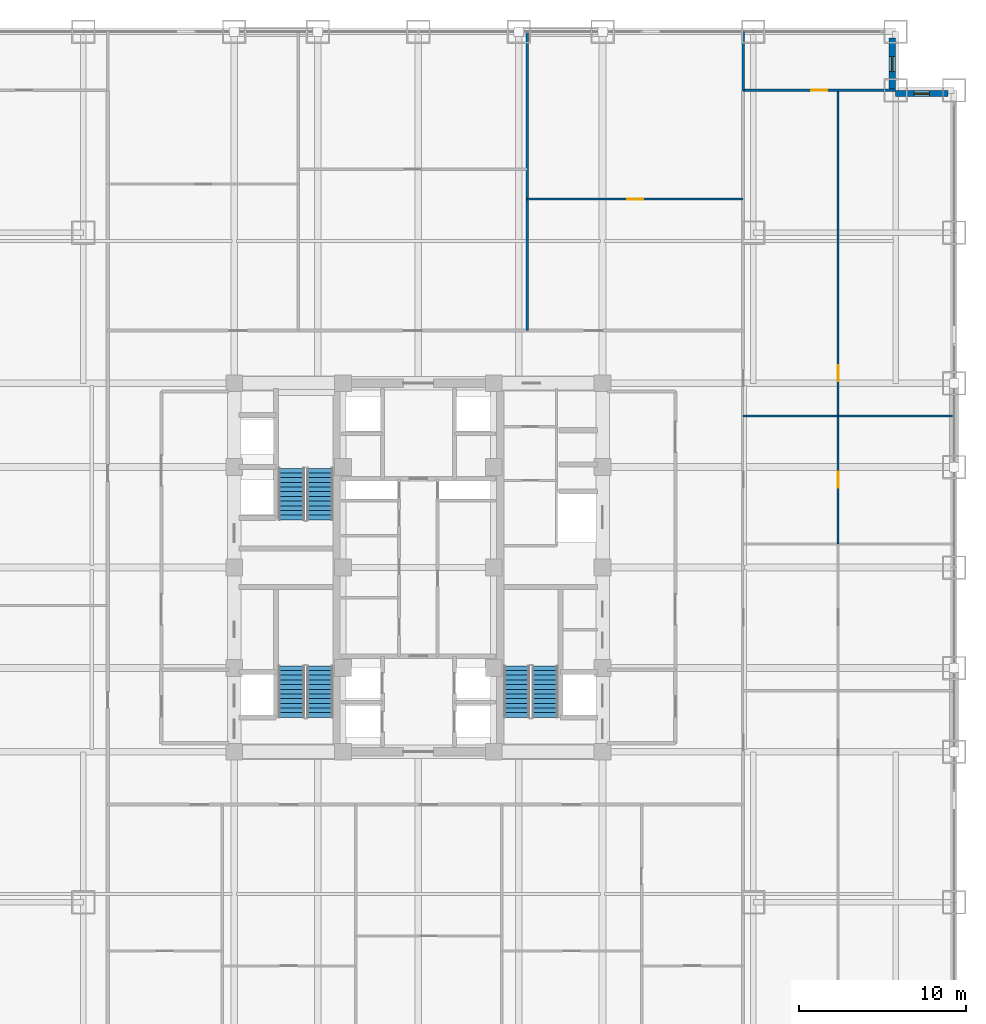
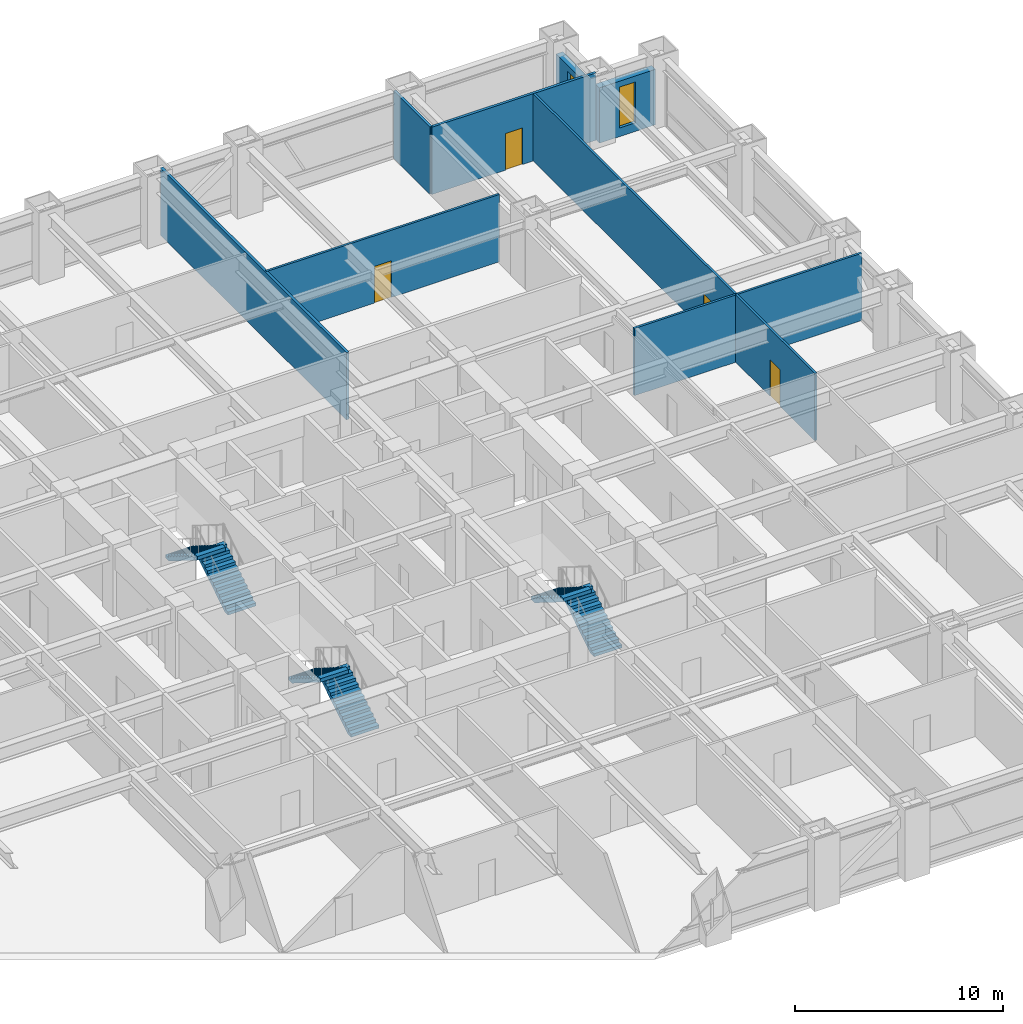
# One storey, part 27 of 28: 9 walls, 6 stair flights, 4 doors, 2 windows, 6 openings, 3 elements without a shape of their own.
"""IFC4 building model written with IfcOpenShell, lengths in metres."""

from ifc_helpers import new_model, si_unit, direction, frame, frame_2d, origin, place, context, subcontext, project, spatial, polyline, rectangle, outline, extrude, source, transform, mapped, material, layer, layer_set, type_object, element, fill, aggregate, save


model = new_model("IFC4")

# Units and contexts
model_context = context("Model", 3, precision=1e-05, world=origin(), true_north=direction((0.0, 1.0)))
body_context = subcontext(model_context, "Body", "Model", "MODEL_VIEW")
ifc_project = project(units=[si_unit("LENGTHUNIT", "METRE"), si_unit("AREAUNIT", "SQUARE_METRE"), si_unit("VOLUMEUNIT", "CUBIC_METRE"), si_unit("PLANEANGLEUNIT", "RADIAN"), si_unit("MASSUNIT", "GRAM", prefix="KILO")], contexts=[model_context])

# Site, building, storey
site_placement = place(None, origin())
site = spatial("IfcSite", under=ifc_project, at=site_placement, CompositionType="ELEMENT")
building_placement = place(site_placement, origin())
building = spatial("IfcBuilding", under=site, at=building_placement, Name="Khorayat Bourse Tower", CompositionType="ELEMENT")
storey_placement = place(building_placement, frame((0.0, 0.0, 83.0)))
storey = spatial("IfcBuildingStorey", under=building, at=storey_placement, Name="L18", CompositionType="ELEMENT", Elevation=83.0)

# Wall, opening, window
ifc_material_1 = material(Name="Precast concrete C45/55", Category="concrete")
ifc_layer_1 = layer(ifc_material_1, 0.3798828125)
ifc_layer_set_1 = layer_set([ifc_layer_1], Name="Precast concrete C45/55")
wall_type_1 = type_object("IfcWallType", Name="WAL-EXT-STONE-380", PredefinedType="STANDARD", material=ifc_layer_set_1)
shared_shape_1 = source(origin(), body_context, "Body", "SweptSolid", [
    extrude(rectangle(XDim=3.1201171875, YDim=0.3798828125, at=frame_2d((1.56005859375, 0.0))), origin(), (0.0, 0.0, 1.0), 3.2451171875),
])
wall_1_placement = place(storey_placement, frame((28.5, 28.31005859375, 0.0), z_axis=(0.0, 0.0, 1.0), x_axis=(1.0, 0.0, 0.0)))
wall_1 = element("IfcWall", 1, at=wall_1_placement, inside=storey, type_object=wall_type_1, Name="L18 Re-Entrant Notch Limestone Wall NE-H", PredefinedType="STANDARD", context=body_context, shape_type="MappedRepresentation", body=[
    mapped(shared_shape_1, transform((0.0, 0.0, 0.0), scale=1.0)),
])
shared_shape_2 = source(origin(), body_context, "Body", "SweptSolid", [
    extrude(rectangle(XDim=0.89990234375, YDim=2.39990234375, at=frame_2d((0.449951171875, 1.199951171875))), frame((0.0, 0.199951171875, 0.0), z_axis=(0.0, -1.0, 0.0), x_axis=(1.0, 0.0, 0.0)), (0.0, 0.0, 1.0), 0.39990234375),
])
opening_1_placement = place(wall_1_placement, frame((1.110107421875, 0.0, 0.5)))
opening_1 = element("IfcOpeningElement", 2, at=opening_1_placement, cuts=wall_1, Name="Opening WN-03", PredefinedType="OPENING", context=body_context, shape_type="MappedRepresentation", body=[
    mapped(shared_shape_2, transform((0.0, 0.0, 0.0), scale=1.0)),
])
ifc_material_2 = material(Name="Deep-reveal solar-control double glazing", Category="glass")
window_type = type_object("IfcWindowType", Name="WIN-SLOT-900x2400", PartitioningType="SINGLE_PANEL", PredefinedType="WINDOW", material=ifc_material_2)
shared_shape_3 = source(origin(), body_context, "Body", "SweptSolid", [
    extrude(rectangle(XDim=0.89990234375, YDim=2.39990234375, at=frame_2d((0.449951171875, 1.199951171875))), frame((0.0, 0.030029296875, 0.0), z_axis=(0.0, -1.0, 0.0), x_axis=(1.0, 0.0, 0.0)), (0.0, 0.0, 1.0), 0.06005859375),
])
window_1_placement = place(opening_1_placement, origin())
window_1 = element("IfcWindow", 3, at=window_1_placement, inside=storey, type_object=window_type, Name="L18 Facade Window 1", OverallHeight=2.39990234375, OverallWidth=0.89990234375, PartitioningType="SINGLE_PANEL", PredefinedType="WINDOW", context=body_context, shape_type="MappedRepresentation", body=[
    mapped(shared_shape_3, transform((0.0, 0.0, 0.0), scale=1.0)),
])
fill(opening_1, window_1)

wall_2_placement = place(storey_placement, frame((28.31005859375, 28.5, 0.0), z_axis=(0.0, 0.0, 1.0), x_axis=(0.0, 1.0, 0.0)))
wall_2 = element("IfcWall", 4, at=wall_2_placement, inside=storey, type_object=wall_type_1, Name="L18 Re-Entrant Notch Limestone Wall NE-V", PredefinedType="STANDARD", context=body_context, shape_type="MappedRepresentation", body=[
    mapped(shared_shape_1, transform((0.0, 0.0, 0.0), scale=1.0)),
])
opening_2_placement = place(wall_2_placement, frame((1.110107421875, 0.0, 0.5)))
opening_2 = element("IfcOpeningElement", 5, at=opening_2_placement, cuts=wall_2, Name="Opening WN-03", PredefinedType="OPENING", context=body_context, shape_type="MappedRepresentation", body=[
    mapped(shared_shape_2, transform((0.0, 0.0, 0.0), scale=1.0)),
])
window_2_placement = place(opening_2_placement, origin())
window_2 = element("IfcWindow", 6, at=window_2_placement, inside=storey, type_object=window_type, Name="L18 Facade Window 1", OverallHeight=2.39990234375, OverallWidth=0.89990234375, PartitioningType="SINGLE_PANEL", PredefinedType="WINDOW", context=body_context, shape_type="MappedRepresentation", body=[
    mapped(shared_shape_3, transform((0.0, 0.0, 0.0), scale=1.0)),
])
fill(opening_2, window_2)

# Walls
ifc_material_3 = material(Name="Gypsum plasterboard twin-frame partition")
ifc_layer_2 = layer(ifc_material_3, 0.14990234375)
ifc_layer_set_2 = layer_set([ifc_layer_2], Name="Gypsum plasterboard twin-frame partition")
wall_type_2 = type_object("IfcWallType", Name="WAL-PART-SUITE-150", PredefinedType="PARTITIONING", material=ifc_layer_set_2)
shared_shape_4 = source(origin(), body_context, "Body", "SweptSolid", [
    extrude(rectangle(XDim=3.5, YDim=0.14990234375, at=frame_2d((1.75, 0.0))), origin(), (0.0, 0.0, 1.0), 3.93994140625),
])
wall_3_placement = place(storey_placement, frame((19.39990234375, 28.5, 0.0), z_axis=(0.0, 0.0, 1.0), x_axis=(0.0, 1.0, 0.0)))
element("IfcWall", 7, at=wall_3_placement, inside=storey, type_object=wall_type_2, Name="L18 Partition WAL-L18-NCE-END", PredefinedType="PARTITIONING", context=body_context, shape_type="MappedRepresentation", body=[
    mapped(shared_shape_4, transform((0.0, 0.0, 0.0), scale=1.0)),
])
shared_shape_5 = source(origin(), body_context, "Body", "SweptSolid", [
    extrude(rectangle(XDim=17.85009765625, YDim=0.14990234375, at=frame_2d((8.925048828125, 0.0))), origin(), (0.0, 0.0, 1.0), 3.93994140625),
])
wall_4_placement = place(storey_placement, frame((6.4970703125, 14.14990234375, 0.0), z_axis=(0.0, 0.0, 1.0), x_axis=(0.0, 1.0, 0.0)))
element("IfcWall", 8, at=wall_4_placement, inside=storey, type_object=wall_type_2, Name="L18 Partition WAL-L18-NDV-2", PredefinedType="PARTITIONING", context=body_context, shape_type="MappedRepresentation", body=[
    mapped(shared_shape_5, transform((0.0, 0.0, 0.0), scale=1.0)),
])

# Wall, opening, door
shared_shape_6 = source(origin(), body_context, "Body", "SweptSolid", [
    extrude(rectangle(XDim=9.10009765625, YDim=0.14990234375, at=frame_2d((4.550048828125, 0.0))), origin(), (0.0, 0.0, 1.0), 3.93994140625),
])
wall_5_placement = place(storey_placement, frame((19.39990234375, 28.5, 0.0), z_axis=(0.0, 0.0, 1.0), x_axis=(1.0, 0.0, 0.0)))
wall_5 = element("IfcWall", 9, at=wall_5_placement, inside=storey, type_object=wall_type_2, Name="L18 Partition WAL-L18-CNE", PredefinedType="PARTITIONING", context=body_context, shape_type="MappedRepresentation", body=[
    mapped(shared_shape_6, transform((0.0, 0.0, 0.0), scale=1.0)),
])
shared_shape_7 = source(origin(), body_context, "Body", "SweptSolid", [
    extrude(rectangle(XDim=0.949951171875, YDim=2.14990234375, at=frame_2d((0.47509765625, 1.074951171875))), frame((0.0, 0.0849609375, 0.0), z_axis=(0.0, -1.0, 0.0), x_axis=(1.0, 0.0, 0.0)), (0.0, 0.0, 1.0), 0.169921875),
])
opening_3_placement = place(wall_5_placement, frame((4.074951171875, 0.0, 0.0)))
opening_3 = element("IfcOpeningElement", 10, at=opening_3_placement, cuts=wall_5, Name="Opening DI-05", PredefinedType="OPENING", context=body_context, shape_type="MappedRepresentation", body=[
    mapped(shared_shape_7, transform((0.0, 0.0, 0.0), scale=1.0)),
])
ifc_material_4 = material(Name="Acoustic oak veneer office door")
door_type = type_object("IfcDoorType", Name="DR-INT-OFFICE-950", OperationType="NOTDEFINED", PredefinedType="DOOR", material=ifc_material_4)
shared_shape_8 = source(origin(), body_context, "Body", "SweptSolid", [
    extrude(rectangle(XDim=0.949951171875, YDim=2.14990234375, at=frame_2d((0.47509765625, 1.074951171875))), frame((0.0, 0.02490234375, 0.0), z_axis=(0.0, -1.0, 0.0), x_axis=(1.0, 0.0, 0.0)), (0.0, 0.0, 1.0), 0.050048828125),
])
door_1_placement = place(opening_3_placement, origin())
door_1 = element("IfcDoor", 11, at=door_1_placement, inside=storey, type_object=door_type, Name="L18 North-East Corner Lounge Door", OperationType="SINGLE_SWING_LEFT", OverallHeight=2.14990234375, OverallWidth=0.949951171875, PredefinedType="DOOR", context=body_context, shape_type="MappedRepresentation", body=[
    mapped(shared_shape_8, transform((0.0, 0.0, 0.0), scale=1.0)),
])
fill(opening_3, door_1)

# Wall
ifc_material_5 = material(Name="Gypsum plasterboard partition")
ifc_layer_3 = layer(ifc_material_5, 0.125)
ifc_layer_set_3 = layer_set([ifc_layer_3], Name="Gypsum plasterboard partition")
wall_type_3 = type_object("IfcWallType", Name="WAL-PART-ROOM-125", PredefinedType="PARTITIONING", material=ifc_layer_set_3)
shared_shape_9 = source(origin(), body_context, "Body", "SweptSolid", [
    extrude(rectangle(XDim=12.60009765625, YDim=0.125, at=frame_2d((6.300048828125, 0.0))), origin(), (0.0, 0.0, 1.0), 3.93994140625),
])
wall_6_placement = place(storey_placement, frame((19.39990234375, 9.055908203125, 0.0), z_axis=(0.0, 0.0, 1.0), x_axis=(1.0, 0.0, 0.0)))
element("IfcWall", 12, at=wall_6_placement, inside=storey, type_object=wall_type_3, Name="L18 Partition WAL-L18-EDV-3", PredefinedType="PARTITIONING", context=body_context, shape_type="MappedRepresentation", body=[
    mapped(shared_shape_9, transform((0.0, 0.0, 0.0), scale=1.0)),
])

# Wall, opening, door
shared_shape_10 = source(origin(), body_context, "Body", "SweptSolid", [
    extrude(rectangle(XDim=12.90283203125, YDim=0.125, at=frame_2d((6.451416015625, 0.0))), origin(), (0.0, 0.0, 1.0), 3.93994140625),
])
wall_7_placement = place(storey_placement, frame((6.4970703125, 22.00390625, 0.0), z_axis=(0.0, 0.0, 1.0), x_axis=(1.0, 0.0, 0.0)))
wall_7 = element("IfcWall", 13, at=wall_7_placement, inside=storey, type_object=wall_type_3, Name="L18 Partition WAL-L18-NDP-3", PredefinedType="PARTITIONING", context=body_context, shape_type="MappedRepresentation", body=[
    mapped(shared_shape_10, transform((0.0, 0.0, 0.0), scale=1.0)),
])
shared_shape_11 = source(origin(), body_context, "Body", "SweptSolid", [
    extrude(rectangle(XDim=0.949951171875, YDim=2.14990234375, at=frame_2d((0.47509765625, 1.074951171875))), frame((0.0, 0.072509765625, 0.0), z_axis=(0.0, -1.0, 0.0), x_axis=(1.0, 0.0, 0.0)), (0.0, 0.0, 1.0), 0.14501953125),
])
opening_4_placement = place(wall_7_placement, frame((5.9765625, 0.0, 0.0)))
opening_4 = element("IfcOpeningElement", 14, at=opening_4_placement, cuts=wall_7, Name="Opening DI-05", PredefinedType="OPENING", context=body_context, shape_type="MappedRepresentation", body=[
    mapped(shared_shape_11, transform((0.0, 0.0, 0.0), scale=1.0)),
])
door_2_placement = place(opening_4_placement, origin())
door_2 = element("IfcDoor", 15, at=door_2_placement, inside=storey, type_object=door_type, Name="L18 Members Club Room N3B Door", OperationType="SINGLE_SWING_RIGHT", OverallHeight=2.14990234375, OverallWidth=0.949951171875, PredefinedType="DOOR", context=body_context, shape_type="MappedRepresentation", body=[
    mapped(shared_shape_8, transform((0.0, 0.0, 0.0), scale=1.0)),
])
fill(opening_4, door_2)

shared_shape_12 = source(origin(), body_context, "Body", "SweptSolid", [
    extrude(rectangle(XDim=7.640869140625, YDim=0.125, at=frame_2d((3.8203125, 0.0))), origin(), (0.0, 0.0, 1.0), 3.93994140625),
])
wall_8_placement = place(storey_placement, frame((25.070068359375, 1.4150390625, 0.0), z_axis=(0.0, 0.0, 1.0), x_axis=(0.0, 1.0, 0.0)))
wall_8 = element("IfcWall", 16, at=wall_8_placement, inside=storey, type_object=wall_type_3, Name="L18 Partition WAL-L18-EDP-3", PredefinedType="PARTITIONING", context=body_context, shape_type="MappedRepresentation", body=[
    mapped(shared_shape_12, transform((0.0, 0.0, 0.0), scale=1.0)),
])
opening_5_placement = place(wall_8_placement, frame((3.345458984375, 0.0, 0.0)))
opening_5 = element("IfcOpeningElement", 17, at=opening_5_placement, cuts=wall_8, Name="Opening DI-05", PredefinedType="OPENING", context=body_context, shape_type="MappedRepresentation", body=[
    mapped(shared_shape_11, transform((0.0, 0.0, 0.0), scale=1.0)),
])
door_3_placement = place(opening_5_placement, origin())
door_3 = element("IfcDoor", 18, at=door_3_placement, inside=storey, type_object=door_type, Name="L18 Quantitative Research Study E3B Door", OperationType="SINGLE_SWING_RIGHT", OverallHeight=2.14990234375, OverallWidth=0.949951171875, PredefinedType="DOOR", context=body_context, shape_type="MappedRepresentation", body=[
    mapped(shared_shape_8, transform((0.0, 0.0, 0.0), scale=1.0)),
])
fill(opening_5, door_3)

shared_shape_13 = source(origin(), body_context, "Body", "SweptSolid", [
    extrude(rectangle(XDim=19.444091796875, YDim=0.125, at=frame_2d((9.72216796875, 0.0))), origin(), (0.0, 0.0, 1.0), 3.93994140625),
])
wall_9_placement = place(storey_placement, frame((25.070068359375, 9.055908203125, 0.0), z_axis=(0.0, 0.0, 1.0), x_axis=(0.0, 1.0, 0.0)))
wall_9 = element("IfcWall", 19, at=wall_9_placement, inside=storey, type_object=wall_type_3, Name="L18 Partition WAL-L18-EDP-4", PredefinedType="PARTITIONING", context=body_context, shape_type="MappedRepresentation", body=[
    mapped(shared_shape_13, transform((0.0, 0.0, 0.0), scale=1.0)),
])
opening_6_placement = place(wall_9_placement, frame((2.072021484375, 0.0, 0.0)))
opening_6 = element("IfcOpeningElement", 20, at=opening_6_placement, cuts=wall_9, Name="Opening DI-05", PredefinedType="OPENING", context=body_context, shape_type="MappedRepresentation", body=[
    mapped(shared_shape_11, transform((0.0, 0.0, 0.0), scale=1.0)),
])
door_4_placement = place(opening_6_placement, origin())
door_4 = element("IfcDoor", 21, at=door_4_placement, inside=storey, type_object=door_type, Name="L18 Executive Boardroom E4B Door", OperationType="SINGLE_SWING_LEFT", OverallHeight=2.14990234375, OverallWidth=0.949951171875, PredefinedType="DOOR", context=body_context, shape_type="MappedRepresentation", body=[
    mapped(shared_shape_8, transform((0.0, 0.0, 0.0), scale=1.0)),
])
fill(opening_6, door_4)

# Stair, stair flights
ifc_material_6 = material(Name="Concrete C40/50", Category="concrete")
stair_type = type_object("IfcStairType", Name="STR-CORE-1550", PredefinedType="HALF_TURN_STAIR", material=ifc_material_6)
stair_1_placement = place(storey_placement, origin())
stair_1 = element("IfcStair", 22, at=stair_1_placement, inside=storey, type_object=stair_type, Name="L18 Exit Stair ST-1", PredefinedType="HALF_TURN_STAIR")
stair_flight_type = type_object("IfcStairFlightType", Name="FLT-CORE-1550", PredefinedType="STRAIGHT", material=ifc_material_6)
shared_shape_14 = source(origin(), body_context, "Body", "SweptSolid", [
    extrude(outline(polyline([(0.0, 0.0), (0.0, 0.175048828125), (0.280029296875, 0.175048828125), (0.280029296875, 0.35009765625), (0.56005859375, 0.35009765625), (0.56005859375, 0.52490234375), (0.840087890625, 0.52490234375), (0.840087890625, 0.699951171875), (1.1201171875, 0.699951171875), (1.1201171875, 0.875), (1.39990234375, 0.875), (1.39990234375, 1.050048828125), (1.679931640625, 1.050048828125), (1.679931640625, 1.22509765625), (1.9599609375, 1.22509765625), (1.9599609375, 1.39990234375), (2.239990234375, 1.39990234375), (2.239990234375, 1.574951171875), (2.52001953125, 1.574951171875), (2.52001953125, 1.75), (2.800048828125, 1.75), (2.800048828125, 1.925048828125), (3.080078125, 1.925048828125), (3.080078125, 2.10009765625), (3.080078125, 1.712890625), (0.339599609375, 0.0), (0.0, 0.0)])), frame((0.0, 0.77490234375, 0.0), z_axis=(0.0, -1.0, 0.0), x_axis=(1.0, 0.0, 0.0)), (0.0, 0.0, 1.0), 1.550048828125),
])
stair_flight_1_placement = place(storey_placement, frame((-5.875, -8.949951171875, 0.0), z_axis=(0.0, 0.0, 1.0), x_axis=(0.0, 1.0, 0.0)))
stair_flight_1 = element("IfcStairFlight", 23, at=stair_flight_1_placement, type_object=stair_flight_type, Name="ST-1 flight 1", NumberOfRisers=12, NumberOfTreads=11, PredefinedType="STRAIGHT", RiserHeight=0.175, TreadLength=0.28, context=body_context, shape_type="MappedRepresentation", body=[
    mapped(shared_shape_14, transform((0.0, 0.0, 0.0), scale=1.0)),
])
stair_flight_2_placement = place(storey_placement, frame((-7.574951171875, -5.8701171875, 2.10009765625), z_axis=(0.0, 0.0, 1.0), x_axis=(0.0, -1.0, 0.0)))
stair_flight_2 = element("IfcStairFlight", 24, at=stair_flight_2_placement, type_object=stair_flight_type, Name="ST-1 flight 2", NumberOfRisers=12, NumberOfTreads=11, PredefinedType="STRAIGHT", RiserHeight=0.175, TreadLength=0.28, context=body_context, shape_type="MappedRepresentation", body=[
    mapped(shared_shape_14, transform((0.0, 0.0, 0.0), scale=1.0)),
])
aggregate(stair_1, [stair_flight_1, stair_flight_2])

stair_2_placement = place(storey_placement, origin())
stair_2 = element("IfcStair", 25, at=stair_2_placement, inside=storey, type_object=stair_type, Name="L18 Exit Stair ST-2", PredefinedType="HALF_TURN_STAIR")
stair_flight_3_placement = place(storey_placement, frame((-5.875, 2.85009765625, 0.0), z_axis=(0.0, 0.0, 1.0), x_axis=(0.0, 1.0, 0.0)))
stair_flight_3 = element("IfcStairFlight", 26, at=stair_flight_3_placement, type_object=stair_flight_type, Name="ST-2 flight 1", NumberOfRisers=12, NumberOfTreads=11, PredefinedType="STRAIGHT", RiserHeight=0.175, TreadLength=0.28, context=body_context, shape_type="MappedRepresentation", body=[
    mapped(shared_shape_14, transform((0.0, 0.0, 0.0), scale=1.0)),
])
stair_flight_4_placement = place(storey_placement, frame((-7.574951171875, 5.929931640625, 2.10009765625), z_axis=(0.0, 0.0, 1.0), x_axis=(0.0, -1.0, 0.0)))
stair_flight_4 = element("IfcStairFlight", 27, at=stair_flight_4_placement, type_object=stair_flight_type, Name="ST-2 flight 2", NumberOfRisers=12, NumberOfTreads=11, PredefinedType="STRAIGHT", RiserHeight=0.175, TreadLength=0.28, context=body_context, shape_type="MappedRepresentation", body=[
    mapped(shared_shape_14, transform((0.0, 0.0, 0.0), scale=1.0)),
])
aggregate(stair_2, [stair_flight_3, stair_flight_4])

stair_3_placement = place(storey_placement, origin())
stair_3 = element("IfcStair", 28, at=stair_3_placement, inside=storey, type_object=stair_type, Name="L18 Exit Stair ST-3", PredefinedType="HALF_TURN_STAIR")
stair_flight_5_placement = place(storey_placement, frame((7.574951171875, -8.949951171875, 0.0), z_axis=(0.0, 0.0, 1.0), x_axis=(0.0, 1.0, 0.0)))
stair_flight_5 = element("IfcStairFlight", 29, at=stair_flight_5_placement, type_object=stair_flight_type, Name="ST-3 flight 1", NumberOfRisers=12, NumberOfTreads=11, PredefinedType="STRAIGHT", RiserHeight=0.175, TreadLength=0.28, context=body_context, shape_type="MappedRepresentation", body=[
    mapped(shared_shape_14, transform((0.0, 0.0, 0.0), scale=1.0)),
])
stair_flight_6_placement = place(storey_placement, frame((5.875, -5.8701171875, 2.10009765625), z_axis=(0.0, 0.0, 1.0), x_axis=(0.0, -1.0, 0.0)))
stair_flight_6 = element("IfcStairFlight", 30, at=stair_flight_6_placement, type_object=stair_flight_type, Name="ST-3 flight 2", NumberOfRisers=12, NumberOfTreads=11, PredefinedType="STRAIGHT", RiserHeight=0.175, TreadLength=0.28, context=body_context, shape_type="MappedRepresentation", body=[
    mapped(shared_shape_14, transform((0.0, 0.0, 0.0), scale=1.0)),
])
aggregate(stair_3, [stair_flight_5, stair_flight_6])

save(model, "model.ifc")
